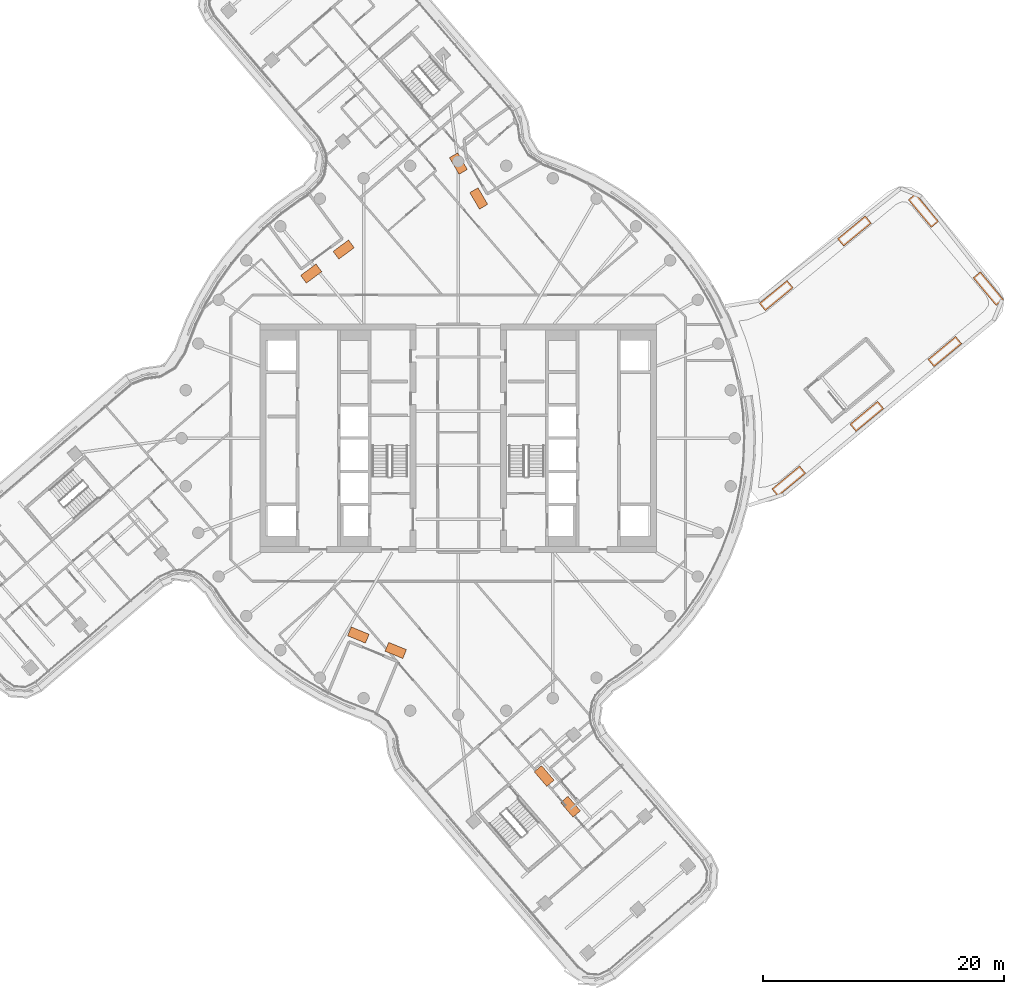
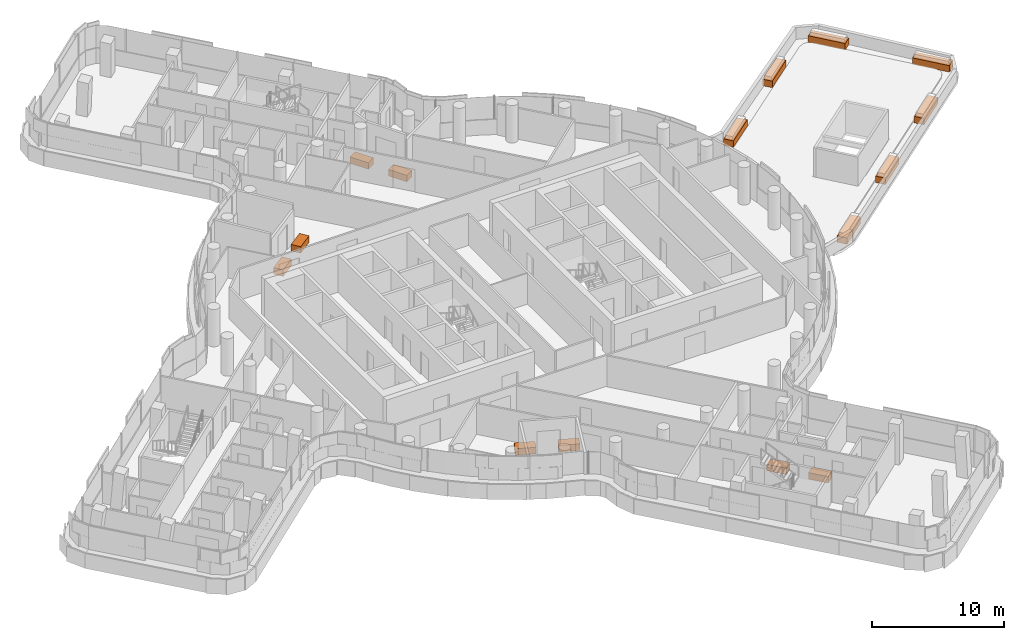
# One storey, part 34 of 34: 15 proxies.
"""IFC4 building model written with IfcOpenShell, lengths in metres."""

from ifc_helpers import new_model, si_unit, direction, frame, origin, origin_2d, place, context, subcontext, project, spatial, rectangle, extrude, material, type_object, element, save


model = new_model("IFC4")

# Units and contexts
model_context = context("Model", 3, precision=1e-05, world=origin(), true_north=direction((0.0, 1.0)))
body_context = subcontext(model_context, "Body", "Model", "MODEL_VIEW")
ifc_project = project(units=[si_unit("LENGTHUNIT", "METRE"), si_unit("AREAUNIT", "SQUARE_METRE"), si_unit("VOLUMEUNIT", "CUBIC_METRE"), si_unit("PLANEANGLEUNIT", "RADIAN"), si_unit("MASSUNIT", "GRAM", prefix="KILO")], contexts=[model_context])

# Site, building, storey
site_placement = place(None, origin())
site = spatial("IfcSite", under=ifc_project, at=site_placement, CompositionType="ELEMENT")
building_placement = place(site_placement, origin())
building = spatial("IfcBuilding", under=site, at=building_placement, Name="Tamarind Cross Interchange Tower", CompositionType="ELEMENT")
storey_placement = place(building_placement, frame((0.0, 0.0, 182.5)))
storey = spatial("IfcBuildingStorey", under=building, at=storey_placement, Name="L45", CompositionType="ELEMENT", Elevation=182.5)

# Proxies
ifc_material = material(Name="Concrete C30", Category="concrete")
building_element_proxy_type = type_object("IfcBuildingElementProxyType", Name="Planter", PredefinedType="USERDEFINED", material=ifc_material)
proxy_1_placement = place(storey_placement, origin())
element("IfcBuildingElementProxy", 1, at=proxy_1_placement, inside=storey, type_object=building_element_proxy_type, Name="PLT-L45-WG-L45-NW-0", ObjectType="Planter", PredefinedType="USERDEFINED", context=body_context, shape_type="SweptSolid", body=[
    extrude(rectangle(XDim=1.60009765625, YDim=0.800048828125, at=origin_2d()), frame((-9.522216796875, 15.683837890625, 0.0), z_axis=(0.0, 0.0, 1.0), x_axis=(-0.804064443961, -0.59454215154, 0.0)), (0.0, 0.0, 1.0), 0.60009765625),
])
proxy_2_placement = place(storey_placement, origin())
element("IfcBuildingElementProxy", 2, at=proxy_2_placement, inside=storey, type_object=building_element_proxy_type, Name="PLT-L45-WG-L45-NW-1", ObjectType="Planter", PredefinedType="USERDEFINED", context=body_context, shape_type="SweptSolid", body=[
    extrude(rectangle(XDim=1.60009765625, YDim=0.800048828125, at=origin_2d()), frame((-12.223876953125, 13.686279296875, 0.0), z_axis=(0.0, 0.0, 1.0), x_axis=(-0.804064443961, -0.59454215154, 0.0)), (0.0, 0.0, 1.0), 0.60009765625),
])
proxy_3_placement = place(storey_placement, origin())
element("IfcBuildingElementProxy", 3, at=proxy_3_placement, inside=storey, type_object=building_element_proxy_type, Name="PLT-L45-WG-L45-SNa-0", ObjectType="Planter", PredefinedType="USERDEFINED", context=body_context, shape_type="SweptSolid", body=[
    extrude(rectangle(XDim=1.60009765625, YDim=0.800048828125, at=origin_2d()), frame((9.332763671875, -30.636962890625, 0.0), z_axis=(0.0, 0.0, 1.0), x_axis=(-0.650350058695, 0.759634649786, 0.0)), (0.0, 0.0, 1.0), 0.60009765625),
])
proxy_4_placement = place(storey_placement, origin())
element("IfcBuildingElementProxy", 4, at=proxy_4_placement, inside=storey, type_object=building_element_proxy_type, Name="PLT-L45-WG-L45-SNa-1", ObjectType="Planter", PredefinedType="USERDEFINED", context=body_context, shape_type="SweptSolid", body=[
    extrude(rectangle(XDim=1.60009765625, YDim=0.800048828125, at=origin_2d()), frame((7.147705078125, -28.08447265625, 0.0), z_axis=(0.0, 0.0, 1.0), x_axis=(-0.650350058695, 0.759634649786, 0.0)), (0.0, 0.0, 1.0), 0.60009765625),
])
proxy_5_placement = place(storey_placement, origin())
element("IfcBuildingElementProxy", 5, at=proxy_5_placement, inside=storey, type_object=building_element_proxy_type, Name="PLT-L45-WG-L45-SNb-0", ObjectType="Planter", PredefinedType="USERDEFINED", context=body_context, shape_type="SweptSolid", body=[
    extrude(rectangle(XDim=1.60009765625, YDim=0.800048828125, at=origin_2d()), frame((1.70751953125, 19.93017578125, 0.0), z_axis=(0.0, 0.0, 1.0), x_axis=(-0.504437206478, 0.863448379882, 0.0)), (0.0, 0.0, 1.0), 0.60009765625),
])
proxy_6_placement = place(storey_placement, origin())
element("IfcBuildingElementProxy", 6, at=proxy_6_placement, inside=storey, type_object=building_element_proxy_type, Name="PLT-L45-WG-L45-SNb-1", ObjectType="Planter", PredefinedType="USERDEFINED", context=body_context, shape_type="SweptSolid", body=[
    extrude(rectangle(XDim=1.60009765625, YDim=0.800048828125, at=origin_2d()), frame((0.0126953125, 22.831298828125, 0.0), z_axis=(0.0, 0.0, 1.0), x_axis=(-0.504437206478, 0.863448379882, 0.0)), (0.0, 0.0, 1.0), 0.60009765625),
])
proxy_7_placement = place(storey_placement, origin())
element("IfcBuildingElementProxy", 7, at=proxy_7_placement, inside=storey, type_object=building_element_proxy_type, Name="PLT-L45-WG-L45-WS-0", ObjectType="Planter", PredefinedType="USERDEFINED", context=body_context, shape_type="SweptSolid", body=[
    extrude(rectangle(XDim=1.60009765625, YDim=0.800048828125, at=origin_2d()), frame((-8.30078125, -16.36572265625, 0.0), z_axis=(0.0, 0.0, 1.0), x_axis=(0.924752077193, -0.380570093054, 0.0)), (0.0, 0.0, 1.0), 0.60009765625),
])
proxy_8_placement = place(storey_placement, origin())
element("IfcBuildingElementProxy", 8, at=proxy_8_placement, inside=storey, type_object=building_element_proxy_type, Name="PLT-L45-WG-L45-WS-1", ObjectType="Planter", PredefinedType="USERDEFINED", context=body_context, shape_type="SweptSolid", body=[
    extrude(rectangle(XDim=1.60009765625, YDim=0.800048828125, at=origin_2d()), frame((-5.193603515625, -17.64453125, 0.0), z_axis=(0.0, 0.0, 1.0), x_axis=(0.924752077193, -0.380570093054, 0.0)), (0.0, 0.0, 1.0), 0.60009765625),
])
proxy_9_placement = place(storey_placement, origin())
element("IfcBuildingElementProxy", 9, at=proxy_9_placement, inside=storey, type_object=building_element_proxy_type, Name="PLT-L45-RTE0-00", ObjectType="Planter", PredefinedType="USERDEFINED", context=body_context, shape_type="SweptSolid", body=[
    extrude(rectangle(XDim=3.0, YDim=0.800048828125, at=origin_2d()), frame((27.484619140625, -3.569580078125, 0.0), z_axis=(0.0, 0.0, 1.0), x_axis=(0.769372797728, 0.638800045488, 0.0)), (0.0, 0.0, 1.0), 0.60009765625),
])
proxy_10_placement = place(storey_placement, origin())
element("IfcBuildingElementProxy", 10, at=proxy_10_placement, inside=storey, type_object=building_element_proxy_type, Name="PLT-L45-RTE0-01", ObjectType="Planter", PredefinedType="USERDEFINED", context=body_context, shape_type="SweptSolid", body=[
    extrude(rectangle(XDim=3.0, YDim=0.800048828125, at=origin_2d()), frame((33.971435546875, 1.816162109375, 0.0), z_axis=(0.0, 0.0, 1.0), x_axis=(0.769372797728, 0.638800045488, 0.0)), (0.0, 0.0, 1.0), 0.60009765625),
])
proxy_11_placement = place(storey_placement, origin())
element("IfcBuildingElementProxy", 11, at=proxy_11_placement, inside=storey, type_object=building_element_proxy_type, Name="PLT-L45-RTE0-02", ObjectType="Planter", PredefinedType="USERDEFINED", context=body_context, shape_type="SweptSolid", body=[
    extrude(rectangle(XDim=3.0, YDim=0.800048828125, at=origin_2d()), frame((40.4580078125, 7.201904296875, 0.0), z_axis=(0.0, 0.0, 1.0), x_axis=(0.769372797728, 0.638800045488, 0.0)), (0.0, 0.0, 1.0), 0.60009765625),
])
proxy_12_placement = place(storey_placement, origin())
element("IfcBuildingElementProxy", 12, at=proxy_12_placement, inside=storey, type_object=building_element_proxy_type, Name="PLT-L45-RTE0-03", ObjectType="Planter", PredefinedType="USERDEFINED", context=body_context, shape_type="SweptSolid", body=[
    extrude(rectangle(XDim=3.0, YDim=0.800048828125, at=origin_2d()), frame((44.065185546875, 12.4365234375, 0.0), z_axis=(0.0, 0.0, 1.0), x_axis=(-0.638800045488, 0.769372797728, 0.0)), (0.0, 0.0, 1.0), 0.60009765625),
])
proxy_13_placement = place(storey_placement, origin())
element("IfcBuildingElementProxy", 13, at=proxy_13_placement, inside=storey, type_object=building_element_proxy_type, Name="PLT-L45-RTE0-04", ObjectType="Planter", PredefinedType="USERDEFINED", context=body_context, shape_type="SweptSolid", body=[
    extrude(rectangle(XDim=3.0, YDim=0.800048828125, at=origin_2d()), frame((38.679443359375, 18.92333984375, 0.0), z_axis=(0.0, 0.0, 1.0), x_axis=(-0.638800045488, 0.769372797728, 0.0)), (0.0, 0.0, 1.0), 0.60009765625),
])
proxy_14_placement = place(storey_placement, origin())
element("IfcBuildingElementProxy", 14, at=proxy_14_placement, inside=storey, type_object=building_element_proxy_type, Name="PLT-L45-RTE0-05", ObjectType="Planter", PredefinedType="USERDEFINED", context=body_context, shape_type="SweptSolid", body=[
    extrude(rectangle(XDim=3.0, YDim=0.800048828125, at=origin_2d()), frame((32.9423828125, 17.224853515625, 0.0), z_axis=(0.0, 0.0, 1.0), x_axis=(-0.771227326834, -0.636559824639, 0.0)), (0.0, 0.0, 1.0), 0.60009765625),
])
proxy_15_placement = place(storey_placement, origin())
element("IfcBuildingElementProxy", 15, at=proxy_15_placement, inside=storey, type_object=building_element_proxy_type, Name="PLT-L45-RTE0-06", ObjectType="Planter", PredefinedType="USERDEFINED", context=body_context, shape_type="SweptSolid", body=[
    extrude(rectangle(XDim=3.0, YDim=0.800048828125, at=origin_2d()), frame((26.440185546875, 11.858154296875, 0.0), z_axis=(0.0, 0.0, 1.0), x_axis=(-0.771227326834, -0.636559824639, 0.0)), (0.0, 0.0, 1.0), 0.60009765625),
])

save(model, "model.ifc")
